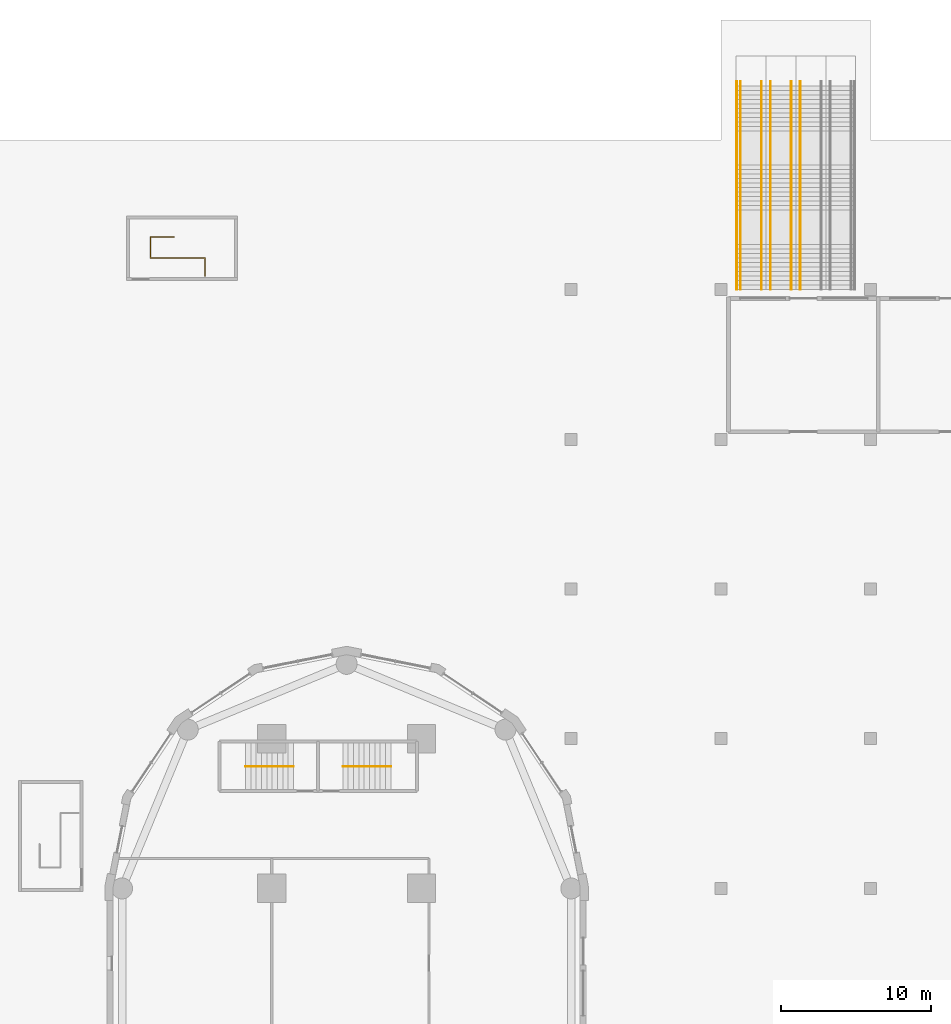
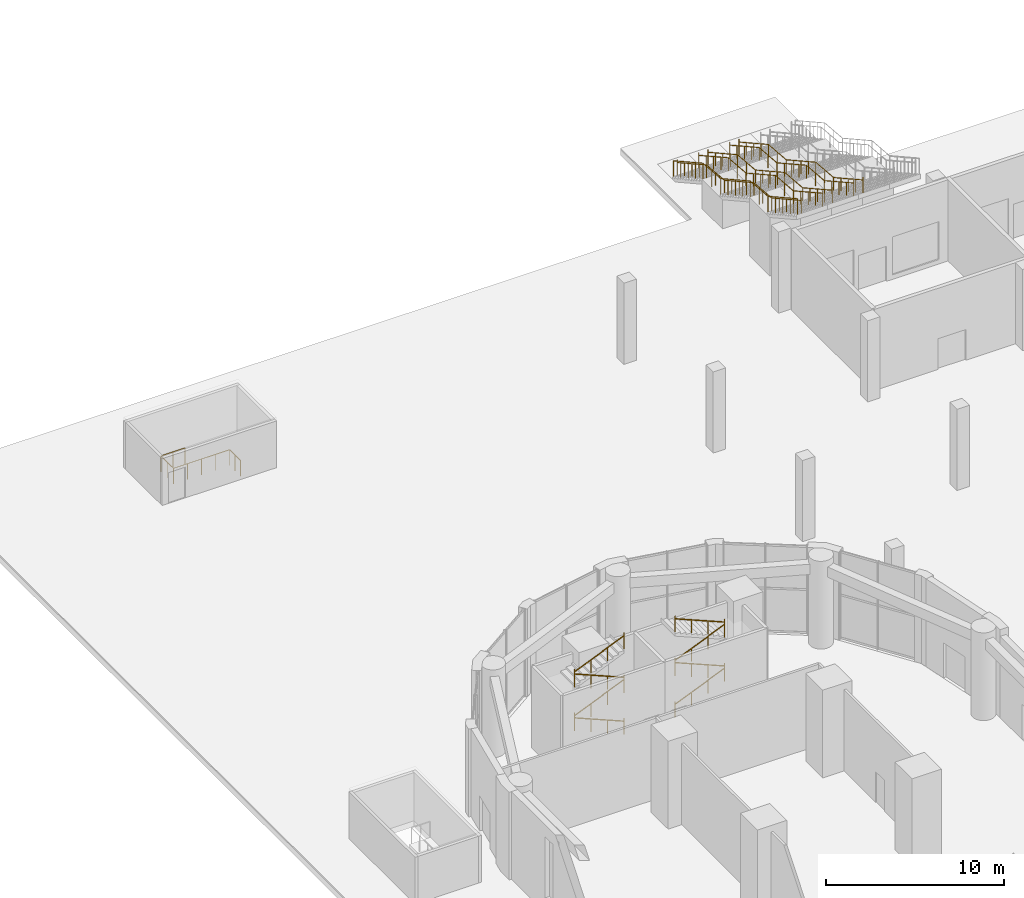
# One storey, part 17 of 21: 15 railings.
"""IFC4 building model written with IfcOpenShell, lengths in metres."""

from ifc_helpers import new_model, si_unit, direction, frame, origin, origin_2d, place, context, subcontext, project, spatial, circle, extrude, material, type_object, element, save


model = new_model("IFC4")

# Units and contexts
model_context = context("Model", 3, precision=1e-05, world=origin(), true_north=direction((0.0, 1.0)))
body_context = subcontext(model_context, "Body", "Model", "MODEL_VIEW")
ifc_project = project(units=[si_unit("LENGTHUNIT", "METRE"), si_unit("AREAUNIT", "SQUARE_METRE"), si_unit("VOLUMEUNIT", "CUBIC_METRE"), si_unit("PLANEANGLEUNIT", "RADIAN"), si_unit("MASSUNIT", "GRAM", prefix="KILO")], contexts=[model_context])

# Site, building, storey
site_placement = place(None, origin())
site = spatial("IfcSite", under=ifc_project, at=site_placement, CompositionType="ELEMENT")
building_placement = place(site_placement, origin())
building = spatial("IfcBuilding", under=site, at=building_placement, Name="Qaws Garden Tower", CompositionType="ELEMENT")
storey_placement = place(building_placement, origin())
storey = spatial("IfcBuildingStorey", under=building, at=storey_placement, Name="L00", CompositionType="ELEMENT", Elevation=0.0)

# Railings
ifc_material_1 = material(Name="Steel S355", Category="steel")
railing_type_1 = type_object("IfcRailingType", Name="Guard steel balustrade 1100", PredefinedType="GUARDRAIL", material=ifc_material_1)
railing_1_placement = place(storey_placement, frame((41.06005859375, 100.0, 6.0)))
element("IfcRailing", 1, at=railing_1_placement, inside=storey, type_object=railing_type_1, Name="Stair guard", PredefinedType="GUARDRAIL", context=body_context, shape_type="SweptSolid", body=[
    extrude(circle(Radius=0.02392578125, at=origin_2d()), frame((0.0, 0.0, 1.076171875), z_axis=(0.0, 0.874169478083, -0.485620966999), x_axis=(-1.0, 0.0, 0.0)), (0.0, 0.0, 1.0), 3.775146484375),
    extrude(circle(Radius=0.02392578125, at=origin_2d()), frame((0.0, 3.300048828125, -0.75732421875), z_axis=(0.0, 0.996542401618, -0.083085749549), x_axis=(-1.0, 0.0, 0.0)), (0.0, 0.0, 1.0), 2.0068359375),
    extrude(circle(Radius=0.02392578125, at=origin_2d()), frame((0.0, 5.300048828125, -0.923828125), z_axis=(0.0, 0.874169478083, -0.485620966999), x_axis=(-1.0, 0.0, 0.0)), (0.0, 0.0, 1.0), 3.775146484375),
    extrude(circle(Radius=0.02392578125, at=origin_2d()), frame((0.0, 8.60009765625, -2.75732421875), z_axis=(0.0, 0.996542401618, -0.083085749549), x_axis=(-1.0, 0.0, 0.0)), (0.0, 0.0, 1.0), 2.0068359375),
    extrude(circle(Radius=0.02392578125, at=origin_2d()), frame((0.0, 10.60009765625, -2.923828125), z_axis=(0.0, 0.874154225373, -0.485648422486), x_axis=(-1.0, 0.0, 0.0)), (0.0, 0.0, 1.0), 3.77490234375),
    extrude(circle(Radius=0.02099609375, at=origin_2d()), origin(), (0.0, 0.0, 1.0), 1.052001953125),
    extrude(circle(Radius=0.02099609375, at=origin_2d()), frame((0.0, 0.824951171875, -0.458251953125)), (0.0, 0.0, 1.0), 1.052001953125),
    extrude(circle(Radius=0.02099609375, at=origin_2d()), frame((0.0, 1.64990234375, -0.91650390625)), (0.0, 0.0, 1.0), 1.052001953125),
    extrude(circle(Radius=0.02099609375, at=origin_2d()), frame((0.0, 2.47509765625, -1.375)), (0.0, 0.0, 1.0), 1.052001953125),
    extrude(circle(Radius=0.02099609375, at=origin_2d()), frame((0.0, 3.300048828125, -1.833251953125)), (0.0, 0.0, 1.0), 1.052001953125),
    extrude(circle(Radius=0.02099609375, at=origin_2d()), frame((0.0, 4.300048828125, -1.91650390625)), (0.0, 0.0, 1.0), 1.052001953125),
    extrude(circle(Radius=0.02099609375, at=origin_2d()), frame((0.0, 5.300048828125, -2.0)), (0.0, 0.0, 1.0), 1.052001953125),
    extrude(circle(Radius=0.02099609375, at=origin_2d()), frame((0.0, 6.125, -2.458251953125)), (0.0, 0.0, 1.0), 1.052001953125),
    extrude(circle(Radius=0.02099609375, at=origin_2d()), frame((0.0, 6.9501953125, -2.91650390625)), (0.0, 0.0, 1.0), 1.052001953125),
    extrude(circle(Radius=0.02099609375, at=origin_2d()), frame((0.0, 7.775146484375, -3.375)), (0.0, 0.0, 1.0), 1.052001953125),
    extrude(circle(Radius=0.02099609375, at=origin_2d()), frame((0.0, 8.60009765625, -3.833251953125)), (0.0, 0.0, 1.0), 1.052001953125),
    extrude(circle(Radius=0.02099609375, at=origin_2d()), frame((0.0, 9.60009765625, -3.91650390625)), (0.0, 0.0, 1.0), 1.052001953125),
    extrude(circle(Radius=0.02099609375, at=origin_2d()), frame((0.0, 10.60009765625, -4.0)), (0.0, 0.0, 1.0), 1.052001953125),
    extrude(circle(Radius=0.02099609375, at=origin_2d()), frame((0.0, 11.425048828125, -4.458251953125)), (0.0, 0.0, 1.0), 1.052001953125),
    extrude(circle(Radius=0.02099609375, at=origin_2d()), frame((0.0, 12.25, -4.91650390625)), (0.0, 0.0, 1.0), 1.052001953125),
    extrude(circle(Radius=0.02099609375, at=origin_2d()), frame((0.0, 13.074951171875, -5.375)), (0.0, 0.0, 1.0), 1.052001953125),
    extrude(circle(Radius=0.02099609375, at=origin_2d()), frame((0.0, 13.89990234375, -5.833251953125)), (0.0, 0.0, 1.0), 1.052001953125),
])
railing_2_placement = place(storey_placement, frame((5.5400390625, 100.89990234375, 0.0)))
element("IfcRailing", 2, at=railing_2_placement, inside=storey, type_object=railing_type_1, Name="Stair opening guard", PredefinedType="GUARDRAIL", context=body_context, shape_type="SweptSolid", body=[
    extrude(circle(Radius=0.02392578125, at=origin_2d()), frame((0.0, 0.0, 1.076171875), z_axis=(0.0, 1.0, 0.0), x_axis=(-1.0, 0.0, 0.0)), (0.0, 0.0, 1.0), 1.2001953125),
    extrude(circle(Radius=0.02392578125, at=origin_2d()), frame((0.0, 1.2001953125, 1.076171875), z_axis=(-1.0, 0.0, 0.0), x_axis=(0.0, -1.0, 0.0)), (0.0, 0.0, 1.0), 3.64013671875),
    extrude(circle(Radius=0.02392578125, at=origin_2d()), frame((-3.64013671875, 1.2001953125, 1.076171875), z_axis=(0.0, 1.0, 0.0), x_axis=(-1.0, 0.0, 0.0)), (0.0, 0.0, 1.0), 1.39990234375),
    extrude(circle(Radius=0.02392578125, at=origin_2d()), frame((-3.64013671875, 2.60009765625, 1.076171875), z_axis=(1.0, 0.0, 0.0), x_axis=(0.0, 1.0, 0.0)), (0.0, 0.0, 1.0), 1.56005859375),
    extrude(circle(Radius=0.02099609375, at=origin_2d()), origin(), (0.0, 0.0, 1.0), 1.052001953125),
    extrude(circle(Radius=0.02099609375, at=origin_2d()), frame((0.0, 0.60009765625, 0.0)), (0.0, 0.0, 1.0), 1.052001953125),
    extrude(circle(Radius=0.02099609375, at=origin_2d()), frame((0.0, 1.2001953125, 0.0)), (0.0, 0.0, 1.0), 1.052001953125),
    extrude(circle(Radius=0.02099609375, at=origin_2d()), frame((-0.91015625, 1.2001953125, 0.0)), (0.0, 0.0, 1.0), 1.052001953125),
    extrude(circle(Radius=0.02099609375, at=origin_2d()), frame((-1.820068359375, 1.2001953125, 0.0)), (0.0, 0.0, 1.0), 1.052001953125),
    extrude(circle(Radius=0.02099609375, at=origin_2d()), frame((-2.72998046875, 1.2001953125, 0.0)), (0.0, 0.0, 1.0), 1.052001953125),
    extrude(circle(Radius=0.02099609375, at=origin_2d()), frame((-3.64013671875, 1.2001953125, 0.0)), (0.0, 0.0, 1.0), 1.052001953125),
    extrude(circle(Radius=0.02099609375, at=origin_2d()), frame((-3.64013671875, 1.900146484375, 0.0)), (0.0, 0.0, 1.0), 1.052001953125),
    extrude(circle(Radius=0.02099609375, at=origin_2d()), frame((-3.64013671875, 2.60009765625, 0.0)), (0.0, 0.0, 1.0), 1.052001953125),
    extrude(circle(Radius=0.02099609375, at=origin_2d()), frame((-2.860107421875, 2.60009765625, 0.0)), (0.0, 0.0, 1.0), 1.052001953125),
    extrude(circle(Radius=0.02099609375, at=origin_2d()), frame((-2.080078125, 2.60009765625, 0.0)), (0.0, 0.0, 1.0), 1.052001953125),
])
ifc_material_2 = material(Name="Stainless steel 316", Category="steel")
railing_type_2 = type_object("IfcRailingType", Name="Handrail 900", PredefinedType="HANDRAIL", material=ifc_material_2)
railing_3_placement = place(storey_placement, frame((45.300048828125, 100.0, 6.0)))
element("IfcRailing", 3, at=railing_3_placement, inside=storey, type_object=railing_type_2, Name="Stair handrail", PredefinedType="HANDRAIL", context=body_context, shape_type="SweptSolid", body=[
    extrude(circle(Radius=0.02392578125, at=origin_2d()), frame((0.0, 0.0, 0.8759765625), z_axis=(0.0, 0.874169478083, -0.485620966999), x_axis=(-1.0, 0.0, 0.0)), (0.0, 0.0, 1.0), 3.775146484375),
    extrude(circle(Radius=0.02392578125, at=origin_2d()), frame((0.0, 3.300048828125, -0.95751953125), z_axis=(0.0, 0.996542401618, -0.083085749549), x_axis=(-1.0, 0.0, 0.0)), (0.0, 0.0, 1.0), 2.0068359375),
    extrude(circle(Radius=0.02392578125, at=origin_2d()), frame((0.0, 5.300048828125, -1.1240234375), z_axis=(0.0, 0.874169478083, -0.485620966999), x_axis=(-1.0, 0.0, 0.0)), (0.0, 0.0, 1.0), 3.775146484375),
    extrude(circle(Radius=0.02392578125, at=origin_2d()), frame((0.0, 8.60009765625, -2.95751953125), z_axis=(0.0, 0.996542401618, -0.083085749549), x_axis=(-1.0, 0.0, 0.0)), (0.0, 0.0, 1.0), 2.0068359375),
    extrude(circle(Radius=0.02392578125, at=origin_2d()), frame((0.0, 10.60009765625, -3.1240234375), z_axis=(0.0, 0.874154225373, -0.485648422486), x_axis=(-1.0, 0.0, 0.0)), (0.0, 0.0, 1.0), 3.77490234375),
    extrude(circle(Radius=0.02099609375, at=origin_2d()), origin(), (0.0, 0.0, 1.0), 1.06689453125),
    extrude(circle(Radius=0.02099609375, at=origin_2d()), frame((0.0, 0.824951171875, -0.458251953125)), (0.0, 0.0, 1.0), 0.851806640625),
    extrude(circle(Radius=0.02099609375, at=origin_2d()), frame((0.0, 1.64990234375, -0.91650390625)), (0.0, 0.0, 1.0), 0.851806640625),
    extrude(circle(Radius=0.02099609375, at=origin_2d()), frame((0.0, 2.47509765625, -1.375)), (0.0, 0.0, 1.0), 0.851806640625),
    extrude(circle(Radius=0.02099609375, at=origin_2d()), frame((0.0, 3.300048828125, -1.833251953125)), (0.0, 0.0, 1.0), 0.851806640625),
    extrude(circle(Radius=0.02099609375, at=origin_2d()), frame((0.0, 4.300048828125, -1.91650390625)), (0.0, 0.0, 1.0), 0.851806640625),
    extrude(circle(Radius=0.02099609375, at=origin_2d()), frame((0.0, 5.300048828125, -2.0)), (0.0, 0.0, 1.0), 0.851806640625),
    extrude(circle(Radius=0.02099609375, at=origin_2d()), frame((0.0, 6.125, -2.458251953125)), (0.0, 0.0, 1.0), 0.851806640625),
    extrude(circle(Radius=0.02099609375, at=origin_2d()), frame((0.0, 6.9501953125, -2.91650390625)), (0.0, 0.0, 1.0), 0.851806640625),
    extrude(circle(Radius=0.02099609375, at=origin_2d()), frame((0.0, 7.775146484375, -3.375)), (0.0, 0.0, 1.0), 0.851806640625),
    extrude(circle(Radius=0.02099609375, at=origin_2d()), frame((0.0, 8.60009765625, -3.833251953125)), (0.0, 0.0, 1.0), 0.851806640625),
    extrude(circle(Radius=0.02099609375, at=origin_2d()), frame((0.0, 9.60009765625, -3.91650390625)), (0.0, 0.0, 1.0), 0.851806640625),
    extrude(circle(Radius=0.02099609375, at=origin_2d()), frame((0.0, 10.60009765625, -4.0)), (0.0, 0.0, 1.0), 0.851806640625),
    extrude(circle(Radius=0.02099609375, at=origin_2d()), frame((0.0, 11.425048828125, -4.458251953125)), (0.0, 0.0, 1.0), 0.851806640625),
    extrude(circle(Radius=0.02099609375, at=origin_2d()), frame((0.0, 12.25, -4.91650390625)), (0.0, 0.0, 1.0), 0.851806640625),
    extrude(circle(Radius=0.02099609375, at=origin_2d()), frame((0.0, 13.074951171875, -5.375)), (0.0, 0.0, 1.0), 0.851806640625),
    extrude(circle(Radius=0.02099609375, at=origin_2d()), frame((0.0, 13.89990234375, -5.833251953125)), (0.0, 0.0, 1.0), 1.06689453125),
])
railing_4_placement = place(storey_placement, frame((44.699951171875, 100.0, 6.0)))
element("IfcRailing", 4, at=railing_4_placement, inside=storey, type_object=railing_type_2, Name="Stair handrail", PredefinedType="HANDRAIL", context=body_context, shape_type="SweptSolid", body=[
    extrude(circle(Radius=0.02392578125, at=origin_2d()), frame((0.0, 0.0, 0.8759765625), z_axis=(0.0, 0.874169478083, -0.485620966999), x_axis=(-1.0, 0.0, 0.0)), (0.0, 0.0, 1.0), 3.775146484375),
    extrude(circle(Radius=0.02392578125, at=origin_2d()), frame((0.0, 3.300048828125, -0.95751953125), z_axis=(0.0, 0.996542401618, -0.083085749549), x_axis=(-1.0, 0.0, 0.0)), (0.0, 0.0, 1.0), 2.0068359375),
    extrude(circle(Radius=0.02392578125, at=origin_2d()), frame((0.0, 5.300048828125, -1.1240234375), z_axis=(0.0, 0.874169478083, -0.485620966999), x_axis=(-1.0, 0.0, 0.0)), (0.0, 0.0, 1.0), 3.775146484375),
    extrude(circle(Radius=0.02392578125, at=origin_2d()), frame((0.0, 8.60009765625, -2.95751953125), z_axis=(0.0, 0.996542401618, -0.083085749549), x_axis=(-1.0, 0.0, 0.0)), (0.0, 0.0, 1.0), 2.0068359375),
    extrude(circle(Radius=0.02392578125, at=origin_2d()), frame((0.0, 10.60009765625, -3.1240234375), z_axis=(0.0, 0.874154225373, -0.485648422486), x_axis=(-1.0, 0.0, 0.0)), (0.0, 0.0, 1.0), 3.77490234375),
    extrude(circle(Radius=0.02099609375, at=origin_2d()), origin(), (0.0, 0.0, 1.0), 1.06689453125),
    extrude(circle(Radius=0.02099609375, at=origin_2d()), frame((0.0, 0.824951171875, -0.458251953125)), (0.0, 0.0, 1.0), 0.851806640625),
    extrude(circle(Radius=0.02099609375, at=origin_2d()), frame((0.0, 1.64990234375, -0.91650390625)), (0.0, 0.0, 1.0), 0.851806640625),
    extrude(circle(Radius=0.02099609375, at=origin_2d()), frame((0.0, 2.47509765625, -1.375)), (0.0, 0.0, 1.0), 0.851806640625),
    extrude(circle(Radius=0.02099609375, at=origin_2d()), frame((0.0, 3.300048828125, -1.833251953125)), (0.0, 0.0, 1.0), 0.851806640625),
    extrude(circle(Radius=0.02099609375, at=origin_2d()), frame((0.0, 4.300048828125, -1.91650390625)), (0.0, 0.0, 1.0), 0.851806640625),
    extrude(circle(Radius=0.02099609375, at=origin_2d()), frame((0.0, 5.300048828125, -2.0)), (0.0, 0.0, 1.0), 0.851806640625),
    extrude(circle(Radius=0.02099609375, at=origin_2d()), frame((0.0, 6.125, -2.458251953125)), (0.0, 0.0, 1.0), 0.851806640625),
    extrude(circle(Radius=0.02099609375, at=origin_2d()), frame((0.0, 6.9501953125, -2.91650390625)), (0.0, 0.0, 1.0), 0.851806640625),
    extrude(circle(Radius=0.02099609375, at=origin_2d()), frame((0.0, 7.775146484375, -3.375)), (0.0, 0.0, 1.0), 0.851806640625),
    extrude(circle(Radius=0.02099609375, at=origin_2d()), frame((0.0, 8.60009765625, -3.833251953125)), (0.0, 0.0, 1.0), 0.851806640625),
    extrude(circle(Radius=0.02099609375, at=origin_2d()), frame((0.0, 9.60009765625, -3.91650390625)), (0.0, 0.0, 1.0), 0.851806640625),
    extrude(circle(Radius=0.02099609375, at=origin_2d()), frame((0.0, 10.60009765625, -4.0)), (0.0, 0.0, 1.0), 0.851806640625),
    extrude(circle(Radius=0.02099609375, at=origin_2d()), frame((0.0, 11.425048828125, -4.458251953125)), (0.0, 0.0, 1.0), 0.851806640625),
    extrude(circle(Radius=0.02099609375, at=origin_2d()), frame((0.0, 12.25, -4.91650390625)), (0.0, 0.0, 1.0), 0.851806640625),
    extrude(circle(Radius=0.02099609375, at=origin_2d()), frame((0.0, 13.074951171875, -5.375)), (0.0, 0.0, 1.0), 0.851806640625),
    extrude(circle(Radius=0.02099609375, at=origin_2d()), frame((0.0, 13.89990234375, -5.833251953125)), (0.0, 0.0, 1.0), 1.06689453125),
])
railing_5_placement = place(storey_placement, frame((43.300048828125, 100.0, 6.0)))
element("IfcRailing", 5, at=railing_5_placement, inside=storey, type_object=railing_type_2, Name="Stair handrail", PredefinedType="HANDRAIL", context=body_context, shape_type="SweptSolid", body=[
    extrude(circle(Radius=0.02392578125, at=origin_2d()), frame((0.0, 0.0, 0.8759765625), z_axis=(0.0, 0.874169478083, -0.485620966999), x_axis=(-1.0, 0.0, 0.0)), (0.0, 0.0, 1.0), 3.775146484375),
    extrude(circle(Radius=0.02392578125, at=origin_2d()), frame((0.0, 3.300048828125, -0.95751953125), z_axis=(0.0, 0.996542401618, -0.083085749549), x_axis=(-1.0, 0.0, 0.0)), (0.0, 0.0, 1.0), 2.0068359375),
    extrude(circle(Radius=0.02392578125, at=origin_2d()), frame((0.0, 5.300048828125, -1.1240234375), z_axis=(0.0, 0.874169478083, -0.485620966999), x_axis=(-1.0, 0.0, 0.0)), (0.0, 0.0, 1.0), 3.775146484375),
    extrude(circle(Radius=0.02392578125, at=origin_2d()), frame((0.0, 8.60009765625, -2.95751953125), z_axis=(0.0, 0.996542401618, -0.083085749549), x_axis=(-1.0, 0.0, 0.0)), (0.0, 0.0, 1.0), 2.0068359375),
    extrude(circle(Radius=0.02392578125, at=origin_2d()), frame((0.0, 10.60009765625, -3.1240234375), z_axis=(0.0, 0.874154225373, -0.485648422486), x_axis=(-1.0, 0.0, 0.0)), (0.0, 0.0, 1.0), 3.77490234375),
    extrude(circle(Radius=0.02099609375, at=origin_2d()), origin(), (0.0, 0.0, 1.0), 1.06689453125),
    extrude(circle(Radius=0.02099609375, at=origin_2d()), frame((0.0, 0.824951171875, -0.458251953125)), (0.0, 0.0, 1.0), 0.851806640625),
    extrude(circle(Radius=0.02099609375, at=origin_2d()), frame((0.0, 1.64990234375, -0.91650390625)), (0.0, 0.0, 1.0), 0.851806640625),
    extrude(circle(Radius=0.02099609375, at=origin_2d()), frame((0.0, 2.47509765625, -1.375)), (0.0, 0.0, 1.0), 0.851806640625),
    extrude(circle(Radius=0.02099609375, at=origin_2d()), frame((0.0, 3.300048828125, -1.833251953125)), (0.0, 0.0, 1.0), 0.851806640625),
    extrude(circle(Radius=0.02099609375, at=origin_2d()), frame((0.0, 4.300048828125, -1.91650390625)), (0.0, 0.0, 1.0), 0.851806640625),
    extrude(circle(Radius=0.02099609375, at=origin_2d()), frame((0.0, 5.300048828125, -2.0)), (0.0, 0.0, 1.0), 0.851806640625),
    extrude(circle(Radius=0.02099609375, at=origin_2d()), frame((0.0, 6.125, -2.458251953125)), (0.0, 0.0, 1.0), 0.851806640625),
    extrude(circle(Radius=0.02099609375, at=origin_2d()), frame((0.0, 6.9501953125, -2.91650390625)), (0.0, 0.0, 1.0), 0.851806640625),
    extrude(circle(Radius=0.02099609375, at=origin_2d()), frame((0.0, 7.775146484375, -3.375)), (0.0, 0.0, 1.0), 0.851806640625),
    extrude(circle(Radius=0.02099609375, at=origin_2d()), frame((0.0, 8.60009765625, -3.833251953125)), (0.0, 0.0, 1.0), 0.851806640625),
    extrude(circle(Radius=0.02099609375, at=origin_2d()), frame((0.0, 9.60009765625, -3.91650390625)), (0.0, 0.0, 1.0), 0.851806640625),
    extrude(circle(Radius=0.02099609375, at=origin_2d()), frame((0.0, 10.60009765625, -4.0)), (0.0, 0.0, 1.0), 0.851806640625),
    extrude(circle(Radius=0.02099609375, at=origin_2d()), frame((0.0, 11.425048828125, -4.458251953125)), (0.0, 0.0, 1.0), 0.851806640625),
    extrude(circle(Radius=0.02099609375, at=origin_2d()), frame((0.0, 12.25, -4.91650390625)), (0.0, 0.0, 1.0), 0.851806640625),
    extrude(circle(Radius=0.02099609375, at=origin_2d()), frame((0.0, 13.074951171875, -5.375)), (0.0, 0.0, 1.0), 0.851806640625),
    extrude(circle(Radius=0.02099609375, at=origin_2d()), frame((0.0, 13.89990234375, -5.833251953125)), (0.0, 0.0, 1.0), 1.06689453125),
])
railing_6_placement = place(storey_placement, frame((42.699951171875, 100.0, 6.0)))
element("IfcRailing", 6, at=railing_6_placement, inside=storey, type_object=railing_type_2, Name="Stair handrail", PredefinedType="HANDRAIL", context=body_context, shape_type="SweptSolid", body=[
    extrude(circle(Radius=0.02392578125, at=origin_2d()), frame((0.0, 0.0, 0.8759765625), z_axis=(0.0, 0.874169478083, -0.485620966999), x_axis=(-1.0, 0.0, 0.0)), (0.0, 0.0, 1.0), 3.775146484375),
    extrude(circle(Radius=0.02392578125, at=origin_2d()), frame((0.0, 3.300048828125, -0.95751953125), z_axis=(0.0, 0.996542401618, -0.083085749549), x_axis=(-1.0, 0.0, 0.0)), (0.0, 0.0, 1.0), 2.0068359375),
    extrude(circle(Radius=0.02392578125, at=origin_2d()), frame((0.0, 5.300048828125, -1.1240234375), z_axis=(0.0, 0.874169478083, -0.485620966999), x_axis=(-1.0, 0.0, 0.0)), (0.0, 0.0, 1.0), 3.775146484375),
    extrude(circle(Radius=0.02392578125, at=origin_2d()), frame((0.0, 8.60009765625, -2.95751953125), z_axis=(0.0, 0.996542401618, -0.083085749549), x_axis=(-1.0, 0.0, 0.0)), (0.0, 0.0, 1.0), 2.0068359375),
    extrude(circle(Radius=0.02392578125, at=origin_2d()), frame((0.0, 10.60009765625, -3.1240234375), z_axis=(0.0, 0.874154225373, -0.485648422486), x_axis=(-1.0, 0.0, 0.0)), (0.0, 0.0, 1.0), 3.77490234375),
    extrude(circle(Radius=0.02099609375, at=origin_2d()), origin(), (0.0, 0.0, 1.0), 1.06689453125),
    extrude(circle(Radius=0.02099609375, at=origin_2d()), frame((0.0, 0.824951171875, -0.458251953125)), (0.0, 0.0, 1.0), 0.851806640625),
    extrude(circle(Radius=0.02099609375, at=origin_2d()), frame((0.0, 1.64990234375, -0.91650390625)), (0.0, 0.0, 1.0), 0.851806640625),
    extrude(circle(Radius=0.02099609375, at=origin_2d()), frame((0.0, 2.47509765625, -1.375)), (0.0, 0.0, 1.0), 0.851806640625),
    extrude(circle(Radius=0.02099609375, at=origin_2d()), frame((0.0, 3.300048828125, -1.833251953125)), (0.0, 0.0, 1.0), 0.851806640625),
    extrude(circle(Radius=0.02099609375, at=origin_2d()), frame((0.0, 4.300048828125, -1.91650390625)), (0.0, 0.0, 1.0), 0.851806640625),
    extrude(circle(Radius=0.02099609375, at=origin_2d()), frame((0.0, 5.300048828125, -2.0)), (0.0, 0.0, 1.0), 0.851806640625),
    extrude(circle(Radius=0.02099609375, at=origin_2d()), frame((0.0, 6.125, -2.458251953125)), (0.0, 0.0, 1.0), 0.851806640625),
    extrude(circle(Radius=0.02099609375, at=origin_2d()), frame((0.0, 6.9501953125, -2.91650390625)), (0.0, 0.0, 1.0), 0.851806640625),
    extrude(circle(Radius=0.02099609375, at=origin_2d()), frame((0.0, 7.775146484375, -3.375)), (0.0, 0.0, 1.0), 0.851806640625),
    extrude(circle(Radius=0.02099609375, at=origin_2d()), frame((0.0, 8.60009765625, -3.833251953125)), (0.0, 0.0, 1.0), 0.851806640625),
    extrude(circle(Radius=0.02099609375, at=origin_2d()), frame((0.0, 9.60009765625, -3.91650390625)), (0.0, 0.0, 1.0), 0.851806640625),
    extrude(circle(Radius=0.02099609375, at=origin_2d()), frame((0.0, 10.60009765625, -4.0)), (0.0, 0.0, 1.0), 0.851806640625),
    extrude(circle(Radius=0.02099609375, at=origin_2d()), frame((0.0, 11.425048828125, -4.458251953125)), (0.0, 0.0, 1.0), 0.851806640625),
    extrude(circle(Radius=0.02099609375, at=origin_2d()), frame((0.0, 12.25, -4.91650390625)), (0.0, 0.0, 1.0), 0.851806640625),
    extrude(circle(Radius=0.02099609375, at=origin_2d()), frame((0.0, 13.074951171875, -5.375)), (0.0, 0.0, 1.0), 0.851806640625),
    extrude(circle(Radius=0.02099609375, at=origin_2d()), frame((0.0, 13.89990234375, -5.833251953125)), (0.0, 0.0, 1.0), 1.06689453125),
])
railing_7_placement = place(storey_placement, frame((41.300048828125, 100.0, 6.0)))
element("IfcRailing", 7, at=railing_7_placement, inside=storey, type_object=railing_type_2, Name="Stair handrail", PredefinedType="HANDRAIL", context=body_context, shape_type="SweptSolid", body=[
    extrude(circle(Radius=0.02392578125, at=origin_2d()), frame((0.0, 0.0, 0.8759765625), z_axis=(0.0, 0.874169478083, -0.485620966999), x_axis=(-1.0, 0.0, 0.0)), (0.0, 0.0, 1.0), 3.775146484375),
    extrude(circle(Radius=0.02392578125, at=origin_2d()), frame((0.0, 3.300048828125, -0.95751953125), z_axis=(0.0, 0.996542401618, -0.083085749549), x_axis=(-1.0, 0.0, 0.0)), (0.0, 0.0, 1.0), 2.0068359375),
    extrude(circle(Radius=0.02392578125, at=origin_2d()), frame((0.0, 5.300048828125, -1.1240234375), z_axis=(0.0, 0.874169478083, -0.485620966999), x_axis=(-1.0, 0.0, 0.0)), (0.0, 0.0, 1.0), 3.775146484375),
    extrude(circle(Radius=0.02392578125, at=origin_2d()), frame((0.0, 8.60009765625, -2.95751953125), z_axis=(0.0, 0.996542401618, -0.083085749549), x_axis=(-1.0, 0.0, 0.0)), (0.0, 0.0, 1.0), 2.0068359375),
    extrude(circle(Radius=0.02392578125, at=origin_2d()), frame((0.0, 10.60009765625, -3.1240234375), z_axis=(0.0, 0.874154225373, -0.485648422486), x_axis=(-1.0, 0.0, 0.0)), (0.0, 0.0, 1.0), 3.77490234375),
    extrude(circle(Radius=0.02099609375, at=origin_2d()), origin(), (0.0, 0.0, 1.0), 1.06689453125),
    extrude(circle(Radius=0.02099609375, at=origin_2d()), frame((0.0, 0.824951171875, -0.458251953125)), (0.0, 0.0, 1.0), 0.851806640625),
    extrude(circle(Radius=0.02099609375, at=origin_2d()), frame((0.0, 1.64990234375, -0.91650390625)), (0.0, 0.0, 1.0), 0.851806640625),
    extrude(circle(Radius=0.02099609375, at=origin_2d()), frame((0.0, 2.47509765625, -1.375)), (0.0, 0.0, 1.0), 0.851806640625),
    extrude(circle(Radius=0.02099609375, at=origin_2d()), frame((0.0, 3.300048828125, -1.833251953125)), (0.0, 0.0, 1.0), 0.851806640625),
    extrude(circle(Radius=0.02099609375, at=origin_2d()), frame((0.0, 4.300048828125, -1.91650390625)), (0.0, 0.0, 1.0), 0.851806640625),
    extrude(circle(Radius=0.02099609375, at=origin_2d()), frame((0.0, 5.300048828125, -2.0)), (0.0, 0.0, 1.0), 0.851806640625),
    extrude(circle(Radius=0.02099609375, at=origin_2d()), frame((0.0, 6.125, -2.458251953125)), (0.0, 0.0, 1.0), 0.851806640625),
    extrude(circle(Radius=0.02099609375, at=origin_2d()), frame((0.0, 6.9501953125, -2.91650390625)), (0.0, 0.0, 1.0), 0.851806640625),
    extrude(circle(Radius=0.02099609375, at=origin_2d()), frame((0.0, 7.775146484375, -3.375)), (0.0, 0.0, 1.0), 0.851806640625),
    extrude(circle(Radius=0.02099609375, at=origin_2d()), frame((0.0, 8.60009765625, -3.833251953125)), (0.0, 0.0, 1.0), 0.851806640625),
    extrude(circle(Radius=0.02099609375, at=origin_2d()), frame((0.0, 9.60009765625, -3.91650390625)), (0.0, 0.0, 1.0), 0.851806640625),
    extrude(circle(Radius=0.02099609375, at=origin_2d()), frame((0.0, 10.60009765625, -4.0)), (0.0, 0.0, 1.0), 0.851806640625),
    extrude(circle(Radius=0.02099609375, at=origin_2d()), frame((0.0, 11.425048828125, -4.458251953125)), (0.0, 0.0, 1.0), 0.851806640625),
    extrude(circle(Radius=0.02099609375, at=origin_2d()), frame((0.0, 12.25, -4.91650390625)), (0.0, 0.0, 1.0), 0.851806640625),
    extrude(circle(Radius=0.02099609375, at=origin_2d()), frame((0.0, 13.074951171875, -5.375)), (0.0, 0.0, 1.0), 0.851806640625),
    extrude(circle(Radius=0.02099609375, at=origin_2d()), frame((0.0, 13.89990234375, -5.833251953125)), (0.0, 0.0, 1.0), 1.06689453125),
])
ifc_material_3 = material(Name="Steel S355", Category="steel")
railing_type_3 = type_object("IfcRailingType", Name="Stair handrail 900", PredefinedType="HANDRAIL", material=ifc_material_3)
railing_8_placement = place(storey_placement, frame((11.449951171875, 68.14990234375, 0.14990234375)))
element("IfcRailing", 8, at=railing_8_placement, inside=storey, type_object=railing_type_3, Name="Stair 6 handrail", PredefinedType="HANDRAIL", context=body_context, shape_type="SweptSolid", body=[
    extrude(circle(Radius=0.02392578125, at=origin_2d()), frame((0.0, 0.0, 0.8759765625), z_axis=(-0.921521658771, 0.0, 0.388326965862), x_axis=(0.0, -1.0, 0.0)), (0.0, 0.0, 1.0), 3.476806640625),
    extrude(circle(Radius=0.02099609375, at=origin_2d()), origin(), (0.0, 0.0, 1.0), 1.050048828125),
    extrude(circle(Radius=0.02099609375, at=origin_2d()), frame((-1.06787109375, 0.0, 0.449951171875)), (0.0, 0.0, 1.0), 0.851806640625),
    extrude(circle(Radius=0.02099609375, at=origin_2d()), frame((-2.135986328125, 0.0, 0.900146484375)), (0.0, 0.0, 1.0), 0.851806640625),
    extrude(circle(Radius=0.02099609375, at=origin_2d()), frame((-3.203857421875, 0.0, 1.35009765625)), (0.0, 0.0, 1.0), 1.050048828125),
])
railing_9_placement = place(storey_placement, frame((8.24609375, 68.14990234375, 1.64990234375)))
element("IfcRailing", 9, at=railing_9_placement, inside=storey, type_object=railing_type_3, Name="Stair 6 handrail", PredefinedType="HANDRAIL", context=body_context, shape_type="SweptSolid", body=[
    extrude(circle(Radius=0.02392578125, at=origin_2d()), frame((0.0, 0.0, 0.8759765625), z_axis=(0.921521658771, 0.0, 0.388326965862), x_axis=(0.0, 1.0, 0.0)), (0.0, 0.0, 1.0), 3.476806640625),
    extrude(circle(Radius=0.02099609375, at=origin_2d()), origin(), (0.0, 0.0, 1.0), 1.050048828125),
    extrude(circle(Radius=0.02099609375, at=origin_2d()), frame((1.06787109375, 0.0, 0.449951171875)), (0.0, 0.0, 1.0), 0.851806640625),
    extrude(circle(Radius=0.02099609375, at=origin_2d()), frame((2.135986328125, 0.0, 0.900146484375)), (0.0, 0.0, 1.0), 0.851806640625),
    extrude(circle(Radius=0.02099609375, at=origin_2d()), frame((3.203857421875, 0.0, 1.35009765625)), (0.0, 0.0, 1.0), 1.050048828125),
])
railing_10_placement = place(storey_placement, frame((11.449951171875, 68.14990234375, 3.14990234375)))
element("IfcRailing", 10, at=railing_10_placement, inside=storey, type_object=railing_type_3, Name="Stair 6 handrail", PredefinedType="HANDRAIL", context=body_context, shape_type="SweptSolid", body=[
    extrude(circle(Radius=0.02392578125, at=origin_2d()), frame((0.0, 0.0, 0.8759765625), z_axis=(-0.921521658771, 0.0, 0.388326965862), x_axis=(0.0, -1.0, 0.0)), (0.0, 0.0, 1.0), 3.476806640625),
    extrude(circle(Radius=0.02099609375, at=origin_2d()), origin(), (0.0, 0.0, 1.0), 1.050048828125),
    extrude(circle(Radius=0.02099609375, at=origin_2d()), frame((-1.06787109375, 0.0, 0.449951171875)), (0.0, 0.0, 1.0), 0.851806640625),
    extrude(circle(Radius=0.02099609375, at=origin_2d()), frame((-2.135986328125, 0.0, 0.900146484375)), (0.0, 0.0, 1.0), 0.851806640625),
    extrude(circle(Radius=0.02099609375, at=origin_2d()), frame((-3.203857421875, 0.0, 1.35009765625)), (0.0, 0.0, 1.0), 1.050048828125),
])
railing_11_placement = place(storey_placement, frame((8.24609375, 68.14990234375, 4.64990234375)))
element("IfcRailing", 11, at=railing_11_placement, inside=storey, type_object=railing_type_3, Name="Stair 6 handrail", PredefinedType="HANDRAIL", context=body_context, shape_type="SweptSolid", body=[
    extrude(circle(Radius=0.02392578125, at=origin_2d()), frame((0.0, 0.0, 0.8759765625), z_axis=(0.921521658771, 0.0, 0.388326965862), x_axis=(0.0, 1.0, 0.0)), (0.0, 0.0, 1.0), 3.476806640625),
    extrude(circle(Radius=0.02099609375, at=origin_2d()), origin(), (0.0, 0.0, 1.0), 1.050048828125),
    extrude(circle(Radius=0.02099609375, at=origin_2d()), frame((1.06787109375, 0.0, 0.449951171875)), (0.0, 0.0, 1.0), 0.851806640625),
    extrude(circle(Radius=0.02099609375, at=origin_2d()), frame((2.135986328125, 0.0, 0.900146484375)), (0.0, 0.0, 1.0), 0.851806640625),
    extrude(circle(Radius=0.02099609375, at=origin_2d()), frame((3.203857421875, 0.0, 1.35009765625)), (0.0, 0.0, 1.0), 1.050048828125),
])
railing_12_placement = place(storey_placement, frame((14.75, 68.14990234375, 0.14990234375)))
element("IfcRailing", 12, at=railing_12_placement, inside=storey, type_object=railing_type_3, Name="Stair 7 handrail", PredefinedType="HANDRAIL", context=body_context, shape_type="SweptSolid", body=[
    extrude(circle(Radius=0.02392578125, at=origin_2d()), frame((0.0, 0.0, 0.8759765625), z_axis=(0.92153224705, 0.0, 0.388301838326), x_axis=(0.0, 1.0, 0.0)), (0.0, 0.0, 1.0), 3.476806640625),
    extrude(circle(Radius=0.02099609375, at=origin_2d()), origin(), (0.0, 0.0, 1.0), 1.050048828125),
    extrude(circle(Radius=0.02099609375, at=origin_2d()), frame((1.068115234375, 0.0, 0.449951171875)), (0.0, 0.0, 1.0), 0.851806640625),
    extrude(circle(Radius=0.02099609375, at=origin_2d()), frame((2.135986328125, 0.0, 0.900146484375)), (0.0, 0.0, 1.0), 0.851806640625),
    extrude(circle(Radius=0.02099609375, at=origin_2d()), frame((3.2041015625, 0.0, 1.35009765625)), (0.0, 0.0, 1.0), 1.050048828125),
])
railing_13_placement = place(storey_placement, frame((17.9541015625, 68.14990234375, 1.64990234375)))
element("IfcRailing", 13, at=railing_13_placement, inside=storey, type_object=railing_type_3, Name="Stair 7 handrail", PredefinedType="HANDRAIL", context=body_context, shape_type="SweptSolid", body=[
    extrude(circle(Radius=0.02392578125, at=origin_2d()), frame((0.0, 0.0, 0.8759765625), z_axis=(-0.92153224705, 0.0, 0.388301838326), x_axis=(0.0, -1.0, 0.0)), (0.0, 0.0, 1.0), 3.476806640625),
    extrude(circle(Radius=0.02099609375, at=origin_2d()), origin(), (0.0, 0.0, 1.0), 1.050048828125),
    extrude(circle(Radius=0.02099609375, at=origin_2d()), frame((-1.068115234375, 0.0, 0.449951171875)), (0.0, 0.0, 1.0), 0.851806640625),
    extrude(circle(Radius=0.02099609375, at=origin_2d()), frame((-2.135986328125, 0.0, 0.900146484375)), (0.0, 0.0, 1.0), 0.851806640625),
    extrude(circle(Radius=0.02099609375, at=origin_2d()), frame((-3.2041015625, 0.0, 1.35009765625)), (0.0, 0.0, 1.0), 1.050048828125),
])
railing_14_placement = place(storey_placement, frame((14.75, 68.14990234375, 3.14990234375)))
element("IfcRailing", 14, at=railing_14_placement, inside=storey, type_object=railing_type_3, Name="Stair 7 handrail", PredefinedType="HANDRAIL", context=body_context, shape_type="SweptSolid", body=[
    extrude(circle(Radius=0.02392578125, at=origin_2d()), frame((0.0, 0.0, 0.8759765625), z_axis=(0.92153224705, 0.0, 0.388301838326), x_axis=(0.0, 1.0, 0.0)), (0.0, 0.0, 1.0), 3.476806640625),
    extrude(circle(Radius=0.02099609375, at=origin_2d()), origin(), (0.0, 0.0, 1.0), 1.050048828125),
    extrude(circle(Radius=0.02099609375, at=origin_2d()), frame((1.068115234375, 0.0, 0.449951171875)), (0.0, 0.0, 1.0), 0.851806640625),
    extrude(circle(Radius=0.02099609375, at=origin_2d()), frame((2.135986328125, 0.0, 0.900146484375)), (0.0, 0.0, 1.0), 0.851806640625),
    extrude(circle(Radius=0.02099609375, at=origin_2d()), frame((3.2041015625, 0.0, 1.35009765625)), (0.0, 0.0, 1.0), 1.050048828125),
])
railing_15_placement = place(storey_placement, frame((17.9541015625, 68.14990234375, 4.64990234375)))
element("IfcRailing", 15, at=railing_15_placement, inside=storey, type_object=railing_type_3, Name="Stair 7 handrail", PredefinedType="HANDRAIL", context=body_context, shape_type="SweptSolid", body=[
    extrude(circle(Radius=0.02392578125, at=origin_2d()), frame((0.0, 0.0, 0.8759765625), z_axis=(-0.92153224705, 0.0, 0.388301838326), x_axis=(0.0, -1.0, 0.0)), (0.0, 0.0, 1.0), 3.476806640625),
    extrude(circle(Radius=0.02099609375, at=origin_2d()), origin(), (0.0, 0.0, 1.0), 1.050048828125),
    extrude(circle(Radius=0.02099609375, at=origin_2d()), frame((-1.068115234375, 0.0, 0.449951171875)), (0.0, 0.0, 1.0), 0.851806640625),
    extrude(circle(Radius=0.02099609375, at=origin_2d()), frame((-2.135986328125, 0.0, 0.900146484375)), (0.0, 0.0, 1.0), 0.851806640625),
    extrude(circle(Radius=0.02099609375, at=origin_2d()), frame((-3.2041015625, 0.0, 1.35009765625)), (0.0, 0.0, 1.0), 1.050048828125),
])

save(model, "model.ifc")
